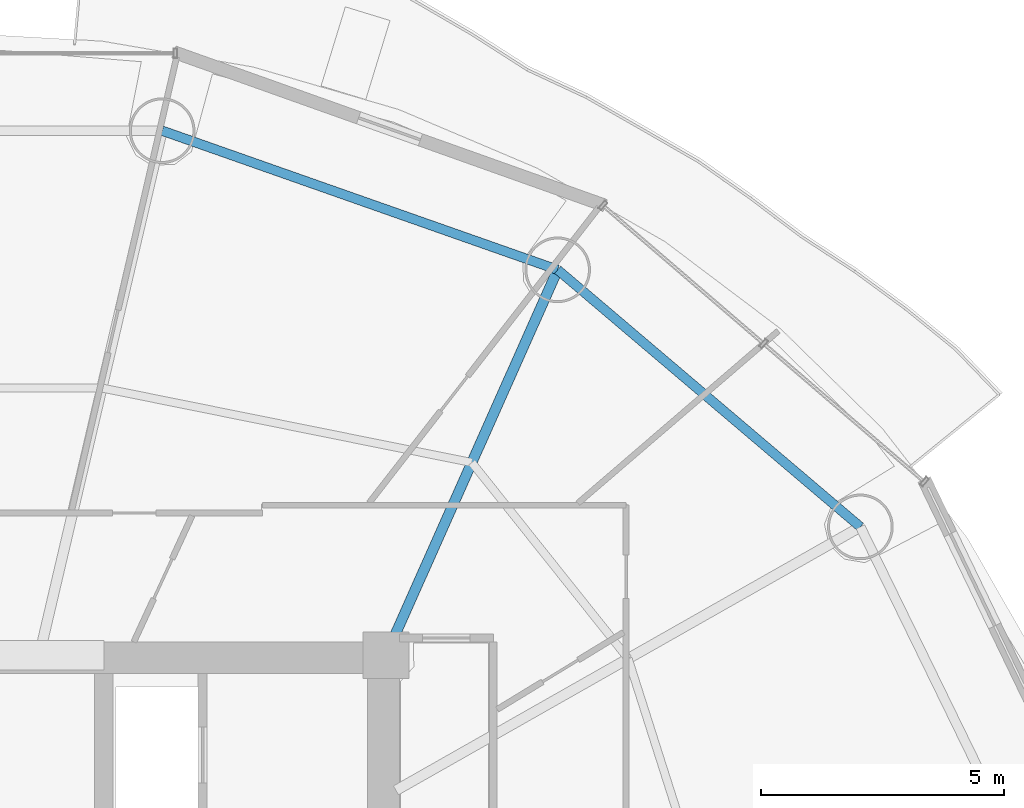
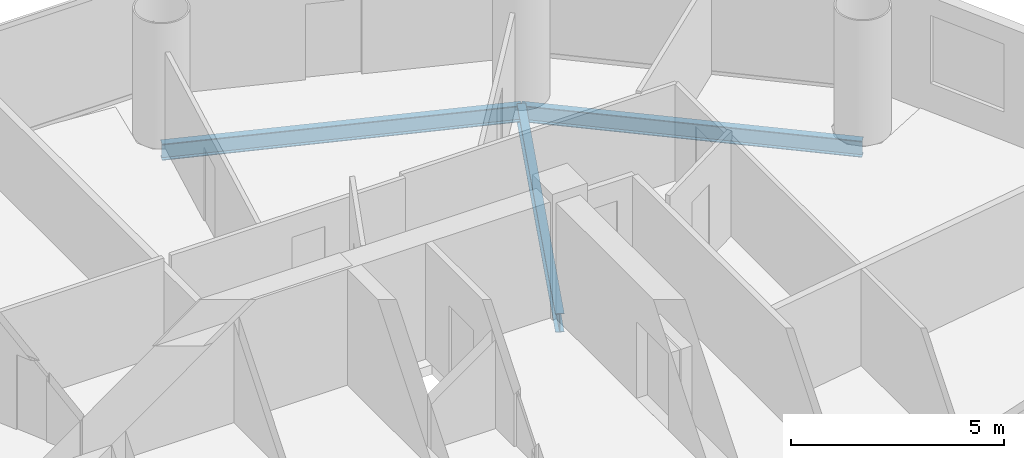
# One storey, part 17 of 26: 3 beams.
"""IFC4 building model written with IfcOpenShell, lengths in metres."""

import ifcopenshell
import ifcopenshell.guid

model = None  # the IFC model being written
_history = None  # IfcOwnerHistory: only IFC2X3 demands one
_inside = {}  # id of a spatial element -> (the spatial element, [elements in it])
_under = {}  # id of a project, library or spatial element -> (it, [spatial elements below it])
_declared = {}  # id of a project -> (the project, [libraries it declares])
_typed = {}  # id of a type object -> (the type object, [elements of that type])
_made_of = {}  # id of a material, layer set ... -> (it, [elements and type objects made of it])


def new_model(schema):
    """Start an empty IFC model of exactly this schema.

    Asked for "IFC4X3", IfcOpenShell would pick the latest addendum, in which some entities
    have other attributes; the version numbers below select the first issue.
    IFC2X3 requires an IfcOwnerHistory on every rooted entity: one is made here for all.
    """
    global model, _history
    if schema == "IFC4X3":
        model = ifcopenshell.file(schema_version=(4, 3, 0, 0))
    else:
        model = ifcopenshell.file(schema=schema)
    _inside.clear()
    _under.clear()
    _declared.clear()
    _typed.clear()
    _made_of.clear()
    _history = None
    if model.schema == "IFC2X3":
        org = make("IfcOrganization", Name="unknown")
        user = make(
            "IfcPersonAndOrganization",
            ThePerson=make("IfcPerson", FamilyName="unknown"),
            TheOrganization=org,
        )
        app = make(
            "IfcApplication",
            ApplicationDeveloper=org,
            Version="unknown",
            ApplicationFullName="unknown",
            ApplicationIdentifier="unknown",
        )
        _history = make(
            "IfcOwnerHistory",
            OwningUser=user,
            OwningApplication=app,
            ChangeAction="ADDED",
            CreationDate=0,
        )
    return model


def make(cls, **values):
    """One entity of the class cls with the attributes given. An attribute that is None is left unset."""
    return model.create_entity(
        cls, **{name: value for name, value in values.items() if value is not None}
    )


def rooted(cls, **values):
    """An entity with a GlobalId (a new one), such as an element, a storey or a relation."""
    return make(cls, GlobalId=ifcopenshell.guid.new(), OwnerHistory=_history, **values)


def si_unit(unit_type, name, prefix=None):
    """IfcSIUnit, for example si_unit("LENGTHUNIT", "METRE", prefix="MILLI")."""
    return make("IfcSIUnit", UnitType=unit_type, Prefix=prefix, Name=name)


def assignment(units):
    """IfcUnitAssignment: the units of a project."""
    return None if units is None else make("IfcUnitAssignment", Units=units)


def point(xyz):
    """IfcCartesianPoint."""
    return None if xyz is None else make("IfcCartesianPoint", Coordinates=xyz)


def direction(xyz):
    """IfcDirection."""
    return None if xyz is None else make("IfcDirection", DirectionRatios=xyz)


def frame(location, z_axis=None, x_axis=None):
    """IfcAxis2Placement3D, a coordinate frame: its origin and axes. An axis left out is left unset."""
    return make(
        "IfcAxis2Placement3D",
        Location=point(location),
        Axis=direction(z_axis),
        RefDirection=direction(x_axis),
    )


def frame_2d(location, x_axis=None):
    """IfcAxis2Placement2D, a coordinate frame in the plane: its origin and x axis."""
    return make(
        "IfcAxis2Placement2D", Location=point(location), RefDirection=direction(x_axis)
    )


def origin():
    """The frame at (0, 0, 0) with its axes left unset."""
    return frame((0.0, 0.0, 0.0))


def origin_2d():
    """The frame at (0, 0) in the plane with its x axis left unset."""
    return frame_2d((0.0, 0.0))


def place(relative_to, where):
    """IfcLocalPlacement: puts the frame where relative to a parent placement (None: the world)."""
    return make(
        "IfcLocalPlacement", PlacementRelTo=relative_to, RelativePlacement=where
    )


def context(
    kind, dimensions, precision=None, world=None, true_north=None, identifier=None
):
    """IfcGeometricRepresentationContext, for example the 3D "Model" context."""
    return make(
        "IfcGeometricRepresentationContext",
        ContextIdentifier=identifier,
        ContextType=kind,
        CoordinateSpaceDimension=dimensions,
        Precision=precision,
        WorldCoordinateSystem=world,
        TrueNorth=true_north,
    )


def subcontext(parent, identifier, kind, view, scale=None):
    """IfcGeometricRepresentationSubContext, for example "Body" below "Model"."""
    return make(
        "IfcGeometricRepresentationSubContext",
        ContextIdentifier=identifier,
        ContextType=kind,
        ParentContext=parent,
        TargetScale=scale,
        TargetView=view,
    )


def project(units=None, contexts=None):
    """IfcProject with its units and contexts."""
    return rooted(
        "IfcProject",
        Name="project",
        RepresentationContexts=contexts,
        UnitsInContext=assignment(units),
    )


def spatial(cls, under=None, at=None, **own):
    """A site, building, storey or space (cls), placed at a placement, below another one or the project."""
    s = rooted(cls, ObjectPlacement=at, **own)
    if under is not None:
        _under.setdefault(under.id(), (under, []))[1].append(s)
    return s


def profile(cls, at=None, kind="AREA", **sizes):
    """A parametric profile (cls). Its sizes go by their IFC names, for example OverallWidth=200.0."""
    return make(cls, ProfileType=kind, Position=at, **sizes)


def i_section(**sizes):
    """IfcIShapeProfileDef."""
    return profile("IfcIShapeProfileDef", **sizes)


def extrude(swept, where, along, depth):
    """IfcExtrudedAreaSolid: the profile swept, set in the frame where, extruded along a direction by depth."""
    return make(
        "IfcExtrudedAreaSolid",
        SweptArea=swept,
        Position=where,
        ExtrudedDirection=direction(along),
        Depth=depth,
    )


def shape(context_of_items, identifier, shape_type, items):
    """IfcShapeRepresentation: the items that make up one representation, for example the "Body"."""
    return make(
        "IfcShapeRepresentation",
        ContextOfItems=context_of_items,
        RepresentationIdentifier=identifier,
        RepresentationType=shape_type,
        Items=items,
    )


def material(Name=None, Category=None):
    """IfcMaterial."""
    return make("IfcMaterial", Name=Name, Category=Category)


def material_profile(
    of_material, cross_section, Name=None, Category=None, Priority=None
):
    """IfcMaterialProfile: a cross section and its material."""
    return make(
        "IfcMaterialProfile",
        Name=Name,
        Material=of_material,
        Profile=cross_section,
        Priority=Priority,
        Category=Category,
    )


def profile_set(profiles, Name=None, composite=None):
    """IfcMaterialProfileSet."""
    return make(
        "IfcMaterialProfileSet",
        Name=Name,
        MaterialProfiles=profiles,
        CompositeProfile=composite,
    )


def made_of(thing, what):
    """Note that an element or type object is made of a material, layer set ...; save() writes the relation."""
    if what is not None:
        _made_of.setdefault(what.id(), (what, []))[1].append(thing)
    return thing


def type_object(cls, material=None, **own):
    """A type object (cls), such as IfcWallType, which elements share."""
    return made_of(rooted(cls, **own), material)


def element(
    cls,
    number,
    at=None,
    inside=None,
    cuts=None,
    type_object=None,
    material=None,
    context=None,
    identifier="Body",
    shape_type=None,
    held_by="IfcProductDefinitionShape",
    body=None,
    shapes=None,
    **own,
):
    """One element of the class cls, such as IfcWall. Its Tag is "e" and its number.

    at: its placement. inside: the storey or other place that contains it. cuts: it is an
    opening in that element (IfcRelVoidsElement). A single representation is given by context,
    identifier, shape_type and body (its items); several are given by shapes. held_by: the class
    of the entity that holds the representations. save() writes the other relations.
    """
    e = rooted(cls, Tag="e%d" % number, ObjectPlacement=at, **own)
    if body is not None:
        shapes = [shape(context, identifier, shape_type, body)]
    if shapes is not None:
        e.Representation = make(held_by, Representations=shapes)
    if inside is not None:
        _inside.setdefault(inside.id(), (inside, []))[1].append(e)
    if cuts is not None:
        rooted(
            "IfcRelVoidsElement", RelatingBuildingElement=cuts, RelatedOpeningElement=e
        )
    if type_object is not None:
        _typed.setdefault(type_object.id(), (type_object, []))[1].append(e)
    return made_of(e, material)


def aggregate(whole, parts):
    """IfcRelAggregates: a whole, such as a stair, and the parts it consists of."""
    return rooted("IfcRelAggregates", RelatingObject=whole, RelatedObjects=parts)


def save(model, path):
    """Write the relations noted so far, then the file.

    IfcRelAggregates (storeys below a building ...), IfcRelContainedInSpatialStructure (elements
    in a storey), IfcRelDefinesByType, IfcRelAssociatesMaterial and IfcRelDeclares: one each for
    every whole, place, type object, material and project.
    """
    for whole, parts in _under.values():
        aggregate(whole, parts)
    for where, things in _inside.values():
        rooted(
            "IfcRelContainedInSpatialStructure",
            RelatedElements=things,
            RelatingStructure=where,
        )
    for kind, things in _typed.values():
        rooted("IfcRelDefinesByType", RelatedObjects=things, RelatingType=kind)
    for what, things in _made_of.values():
        rooted("IfcRelAssociatesMaterial", RelatedObjects=things, RelatingMaterial=what)
    for by, libraries in _declared.values():
        rooted("IfcRelDeclares", RelatingContext=by, RelatedDefinitions=libraries)
    model.write(path)


model = new_model("IFC4")

# Units and contexts
model_context = context("Model", 3, precision=1e-05, world=origin(), true_north=direction((-0.2419218956, 0.970295726276)))
body_context = subcontext(model_context, "Body", "Model", "MODEL_VIEW")
ifc_project = project(units=[si_unit("LENGTHUNIT", "METRE"), si_unit("AREAUNIT", "SQUARE_METRE"), si_unit("VOLUMEUNIT", "CUBIC_METRE"), si_unit("PLANEANGLEUNIT", "RADIAN"), si_unit("MASSUNIT", "GRAM", prefix="KILO")], contexts=[model_context])

# Site, building, storey
site_placement = place(None, origin())
site = spatial("IfcSite", under=ifc_project, at=site_placement, CompositionType="ELEMENT")
building_placement = place(site_placement, origin())
building = spatial("IfcBuilding", under=site, at=building_placement, Name="Cobrevalo Terracotta Tower", CompositionType="ELEMENT")
storey_placement = place(building_placement, frame((0.0, 0.0, 142.60009765625)))
storey = spatial("IfcBuildingStorey", under=building, at=storey_placement, Name="L37", CompositionType="ELEMENT", Elevation=142.60009765625)

# Beams
ifc_material = material(Name="Steel S355", Category="steel")
ifc_material_profile_1 = material_profile(ifc_material, i_section(OverallWidth=0.2109375, OverallDepth=0.5390625, WebThickness=0.01171875, FlangeThickness=0.018798828125, at=origin_2d()), Name="W 530x109")
ifc_profile_set_1 = profile_set([ifc_material_profile_1], Name="Steel S355")
beam_type_1 = type_object("IfcBeamType", Name="Structural Beam W 530x109 (Steel S355)", PredefinedType="BEAM", material=ifc_profile_set_1)
beam_1_placement = place(storey_placement, frame((50.528076171875, 42.72265625, -0.53955078125), z_axis=(-0.406804395691, -0.913515289224, 0.0), x_axis=(0.913515289224, -0.406804395691, 0.0)))
element("IfcBeam", 1, at=beam_1_placement, inside=storey, type_object=beam_type_1, Name="L37 radial floor girder 03", PredefinedType="BEAM", context=body_context, shape_type="SweptSolid", body=[
    extrude(i_section(OverallWidth=0.2109375, OverallDepth=0.5390625, WebThickness=0.01171875, FlangeThickness=0.018798828125, at=origin_2d()), origin(), (0.0, 0.0, 1.0), 8.672607421875),
])
ifc_material_profile_2 = material_profile(ifc_material, i_section(OverallWidth=0.194091796875, OverallDepth=0.468994140625, WebThickness=0.011474609375, FlangeThickness=0.0205078125, at=origin_2d()), Name="W 460x106")
ifc_profile_set_2 = profile_set([ifc_material_profile_2], Name="Steel S355")
beam_type_2 = type_object("IfcBeamType", Name="Structural Spandrel W 460x106 (Steel S355)", PredefinedType="SPANDREL", material=ifc_profile_set_2)
beam_2_placement = place(storey_placement, frame((56.749755859375, 37.439208984375, -0.504638671875), z_axis=(-0.762240337798, 0.647294112003, 0.0), x_axis=(-0.647294112003, -0.762240337798, 0.0)))
element("IfcBeam", 2, at=beam_2_placement, inside=storey, type_object=beam_type_2, Name="L37 perimeter ring spandrel 02", PredefinedType="SPANDREL", context=body_context, shape_type="SweptSolid", body=[
    extrude(i_section(OverallWidth=0.194091796875, OverallDepth=0.468994140625, WebThickness=0.011474609375, FlangeThickness=0.0205078125, at=origin_2d()), origin(), (0.0, 0.0, 1.0), 8.162353515625),
])
beam_3_placement = place(storey_placement, frame((50.528076171875, 42.72265625, -0.504638671875), z_axis=(-0.943341298492, 0.331824041565, 0.0), x_axis=(-0.331824041565, -0.943341298492, 0.0)))
element("IfcBeam", 3, at=beam_3_placement, inside=storey, type_object=beam_type_2, Name="L37 perimeter ring spandrel 03", PredefinedType="SPANDREL", context=body_context, shape_type="SweptSolid", body=[
    extrude(i_section(OverallWidth=0.194091796875, OverallDepth=0.468994140625, WebThickness=0.011474609375, FlangeThickness=0.0205078125, at=origin_2d()), origin(), (0.0, 0.0, 1.0), 8.6171875),
])

save(model, "model.ifc")
